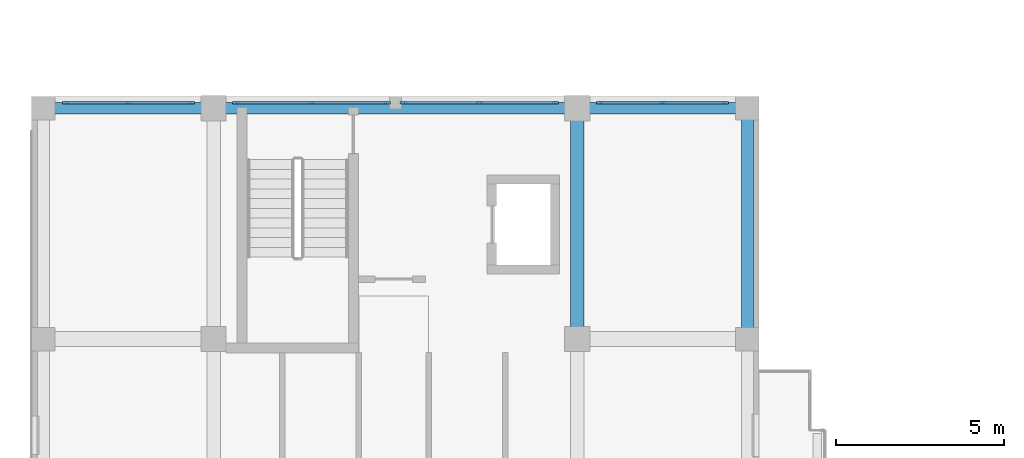
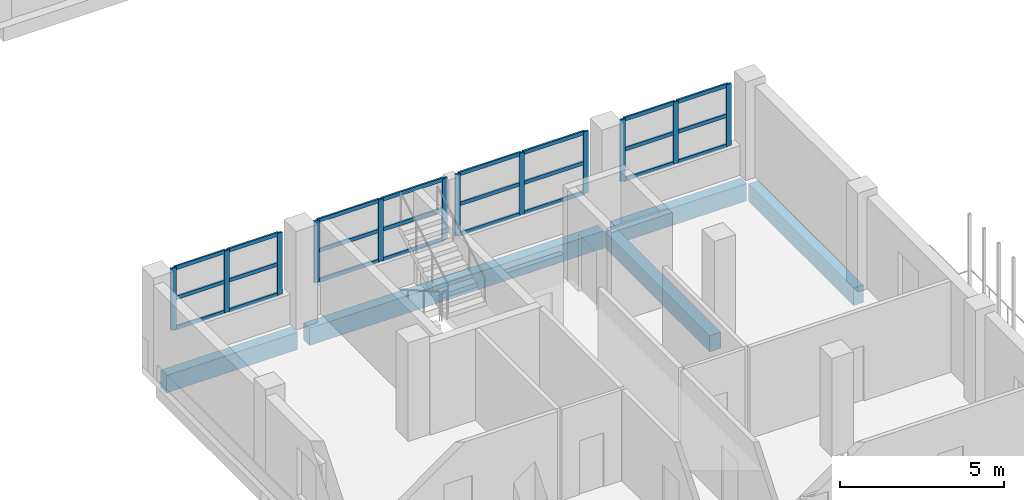
# One storey, part 11 of 73: 36 members, 5 beams, 4 elements without a shape of their own.
"""IFC4 building model written with IfcOpenShell, lengths in metres."""

from ifc_helpers import new_model, si_unit, derived_unit, direction, frame, origin, origin_2d, place, context, subcontext, project, spatial, rectangle, extrude, material, layer, layer_set, material_profile, profile_set, type_object, element, aggregate, save


model = new_model("IFC4")

# Units and contexts
model_context = context("Model", 3, precision=1e-05, world=origin(), true_north=direction((0.0, 1.0)))
body_context = subcontext(model_context, "Body", "Model", "MODEL_VIEW")
ifc_project = project(units=[si_unit("LENGTHUNIT", "METRE"), si_unit("AREAUNIT", "SQUARE_METRE"), si_unit("VOLUMEUNIT", "CUBIC_METRE"), si_unit("PLANEANGLEUNIT", "RADIAN"), si_unit("MASSUNIT", "GRAM", prefix="KILO"), derived_unit("THERMALTRANSMITTANCEUNIT", [(si_unit("MASSUNIT", "GRAM", prefix="KILO"), 1), (si_unit("TIMEUNIT", "SECOND"), -3), (si_unit("THERMODYNAMICTEMPERATUREUNIT", "KELVIN"), -1)])], contexts=[model_context])

# Site, building, storey
site_placement = place(None, origin())
site = spatial("IfcSite", under=ifc_project, at=site_placement, CompositionType="ELEMENT")
building_placement = place(site_placement, origin())
building = spatial("IfcBuilding", under=site, at=building_placement, Name="Ochrekiln Boulevard Commons", CompositionType="ELEMENT")
storey_placement = place(building_placement, frame((0.0, 0.0, 4.89990234375)))
storey = spatial("IfcBuildingStorey", under=building, at=storey_placement, Name="L01", CompositionType="ELEMENT", Elevation=4.89990234375)

# Beam
ifc_material_1 = material(Name="Concrete C35/45", Category="concrete")
ifc_material_profile_1 = material_profile(ifc_material_1, rectangle(XDim=0.39990234375, YDim=0.60009765625, at=origin_2d()), Name="RC-BM-400x600")
ifc_profile_set_1 = profile_set([ifc_material_profile_1], Name="Concrete C35/45")
beam_type_1 = type_object("IfcBeamType", Name="BM-RC-400x600", PredefinedType="BEAM", material=ifc_profile_set_1)
beam_1_placement = place(storey_placement, frame((16.199951171875, 43.409912109375, -0.559814453125), z_axis=(0.0, 1.0, 0.0), x_axis=(-1.0, 0.0, 0.0)))
element("IfcBeam", 1, at=beam_1_placement, inside=storey, type_object=beam_type_1, Name="Block D L01 Beam B-4060 Y43", PredefinedType="BEAM", context=body_context, shape_type="SweptSolid", body=[
    extrude(rectangle(XDim=0.39990234375, YDim=0.60009765625, at=origin_2d()), origin(), (0.0, 0.0, 1.0), 6.43017578125),
])

# Curtain wall, members
ifc_material_2 = material(Name="Bronze-anodized extruded aluminium 6063-T6", Category="aluminium")
ifc_layer = layer(ifc_material_2, 0.172119140625)
ifc_layer_set = layer_set([ifc_layer], Name="Bronze-anodized extruded aluminium 6063-T6")
curtain_wall_type = type_object("IfcCurtainWallType", Name="CW-GABLE-A", PredefinedType="USERDEFINED", material=ifc_layer_set)
curtain_wall_1_placement = place(storey_placement, origin())
curtain_wall_1 = element("IfcCurtainWall", 2, at=curtain_wall_1_placement, inside=storey, type_object=curtain_wall_type, Name="Block D L01 Courtyard Glazed Gable Curtain Wall 1", ObjectType="GLAZED CURTAIN WALL", PredefinedType="USERDEFINED")
ifc_material_profile_2 = material_profile(ifc_material_2, rectangle(XDim=0.06494140625, YDim=0.179931640625, at=origin_2d()), Name="ALU-MUL-65x180")
ifc_profile_set_2 = profile_set([ifc_material_profile_2], Name="Bronze-anodized extruded aluminium 6063-T6")
member_type_1 = type_object("IfcMemberType", Name="CWM-65x180", PredefinedType="MULLION", material=ifc_profile_set_2)
member_1_placement = place(storey_placement, frame((1.00244140625, 50.217529296875, 1.110107421875), z_axis=(0.0, 0.0, 1.0), x_axis=(0.0, 1.0, 0.0)))
member_1 = element("IfcMember", 3, at=member_1_placement, type_object=member_type_1, Name="CW-01 mullion 1", PredefinedType="MULLION", context=body_context, shape_type="SweptSolid", body=[
    extrude(rectangle(XDim=0.06494140625, YDim=0.179931640625, at=origin_2d()), origin(), (0.0, 0.0, 1.0), 2.304931640625),
])
member_2_placement = place(storey_placement, frame((2.875, 50.217529296875, 1.110107421875), z_axis=(0.0, 0.0, 1.0), x_axis=(0.0, 1.0, 0.0)))
member_2 = element("IfcMember", 4, at=member_2_placement, type_object=member_type_1, Name="CW-01 mullion 2", PredefinedType="MULLION", context=body_context, shape_type="SweptSolid", body=[
    extrude(rectangle(XDim=0.06494140625, YDim=0.179931640625, at=origin_2d()), origin(), (0.0, 0.0, 1.0), 2.304931640625),
])
member_3_placement = place(storey_placement, frame((4.74755859375, 50.217529296875, 1.110107421875), z_axis=(0.0, 0.0, 1.0), x_axis=(0.0, 1.0, 0.0)))
member_3 = element("IfcMember", 5, at=member_3_placement, type_object=member_type_1, Name="CW-01 mullion 3", PredefinedType="MULLION", context=body_context, shape_type="SweptSolid", body=[
    extrude(rectangle(XDim=0.06494140625, YDim=0.179931640625, at=origin_2d()), origin(), (0.0, 0.0, 1.0), 2.304931640625),
])

curtain_wall_2_placement = place(storey_placement, origin())
curtain_wall_2 = element("IfcCurtainWall", 6, at=curtain_wall_2_placement, inside=storey, type_object=curtain_wall_type, Name="Block D L01 Courtyard Glazed Gable Curtain Wall 2", ObjectType="GLAZED CURTAIN WALL", PredefinedType="USERDEFINED")
member_4_placement = place(storey_placement, frame((6.052490234375, 50.217529296875, 1.110107421875), z_axis=(0.0, 0.0, 1.0), x_axis=(0.0, 1.0, 0.0)))
member_4 = element("IfcMember", 7, at=member_4_placement, type_object=member_type_1, Name="CW-01 mullion 1", PredefinedType="MULLION", context=body_context, shape_type="SweptSolid", body=[
    extrude(rectangle(XDim=0.06494140625, YDim=0.179931640625, at=origin_2d()), origin(), (0.0, 0.0, 1.0), 2.304931640625),
])
member_5_placement = place(storey_placement, frame((8.31005859375, 50.217529296875, 1.110107421875), z_axis=(0.0, 0.0, 1.0), x_axis=(0.0, 1.0, 0.0)))
member_5 = element("IfcMember", 8, at=member_5_placement, type_object=member_type_1, Name="CW-01 mullion 2", PredefinedType="MULLION", context=body_context, shape_type="SweptSolid", body=[
    extrude(rectangle(XDim=0.06494140625, YDim=0.179931640625, at=origin_2d()), origin(), (0.0, 0.0, 1.0), 2.304931640625),
])
member_6_placement = place(storey_placement, frame((10.5673828125, 50.217529296875, 1.110107421875), z_axis=(0.0, 0.0, 1.0), x_axis=(0.0, 1.0, 0.0)))
member_6 = element("IfcMember", 9, at=member_6_placement, type_object=member_type_1, Name="CW-01 mullion 3", PredefinedType="MULLION", context=body_context, shape_type="SweptSolid", body=[
    extrude(rectangle(XDim=0.06494140625, YDim=0.179931640625, at=origin_2d()), origin(), (0.0, 0.0, 1.0), 2.304931640625),
])

curtain_wall_3_placement = place(storey_placement, origin())
curtain_wall_3 = element("IfcCurtainWall", 10, at=curtain_wall_3_placement, inside=storey, type_object=curtain_wall_type, Name="Block D L01 Courtyard Glazed Gable Curtain Wall 3", ObjectType="GLAZED CURTAIN WALL", PredefinedType="USERDEFINED")
member_7_placement = place(storey_placement, frame((11.032470703125, 50.217529296875, 1.110107421875), z_axis=(0.0, 0.0, 1.0), x_axis=(0.0, 1.0, 0.0)))
member_7 = element("IfcMember", 11, at=member_7_placement, type_object=member_type_1, Name="CW-01 mullion 1", PredefinedType="MULLION", context=body_context, shape_type="SweptSolid", body=[
    extrude(rectangle(XDim=0.06494140625, YDim=0.179931640625, at=origin_2d()), origin(), (0.0, 0.0, 1.0), 2.304931640625),
])
member_8_placement = place(storey_placement, frame((13.2900390625, 50.217529296875, 1.110107421875), z_axis=(0.0, 0.0, 1.0), x_axis=(0.0, 1.0, 0.0)))
member_8 = element("IfcMember", 12, at=member_8_placement, type_object=member_type_1, Name="CW-01 mullion 2", PredefinedType="MULLION", context=body_context, shape_type="SweptSolid", body=[
    extrude(rectangle(XDim=0.06494140625, YDim=0.179931640625, at=origin_2d()), origin(), (0.0, 0.0, 1.0), 2.304931640625),
])
member_9_placement = place(storey_placement, frame((15.547607421875, 50.217529296875, 1.110107421875), z_axis=(0.0, 0.0, 1.0), x_axis=(0.0, 1.0, 0.0)))
member_9 = element("IfcMember", 13, at=member_9_placement, type_object=member_type_1, Name="CW-01 mullion 3", PredefinedType="MULLION", context=body_context, shape_type="SweptSolid", body=[
    extrude(rectangle(XDim=0.06494140625, YDim=0.179931640625, at=origin_2d()), origin(), (0.0, 0.0, 1.0), 2.304931640625),
])

curtain_wall_4_placement = place(storey_placement, origin())
curtain_wall_4 = element("IfcCurtainWall", 14, at=curtain_wall_4_placement, inside=storey, type_object=curtain_wall_type, Name="Block D L01 Courtyard Glazed Gable Curtain Wall 4", ObjectType="GLAZED CURTAIN WALL", PredefinedType="USERDEFINED")
member_10_placement = place(storey_placement, frame((16.8525390625, 50.217529296875, 1.110107421875), z_axis=(0.0, 0.0, 1.0), x_axis=(0.0, 1.0, 0.0)))
member_10 = element("IfcMember", 15, at=member_10_placement, type_object=member_type_1, Name="CW-01 mullion 1", PredefinedType="MULLION", context=body_context, shape_type="SweptSolid", body=[
    extrude(rectangle(XDim=0.06494140625, YDim=0.179931640625, at=origin_2d()), origin(), (0.0, 0.0, 1.0), 2.304931640625),
])
member_11_placement = place(storey_placement, frame((18.72509765625, 50.217529296875, 1.110107421875), z_axis=(0.0, 0.0, 1.0), x_axis=(0.0, 1.0, 0.0)))
member_11 = element("IfcMember", 16, at=member_11_placement, type_object=member_type_1, Name="CW-01 mullion 2", PredefinedType="MULLION", context=body_context, shape_type="SweptSolid", body=[
    extrude(rectangle(XDim=0.06494140625, YDim=0.179931640625, at=origin_2d()), origin(), (0.0, 0.0, 1.0), 2.304931640625),
])
member_12_placement = place(storey_placement, frame((20.597412109375, 50.217529296875, 1.110107421875), z_axis=(0.0, 0.0, 1.0), x_axis=(0.0, 1.0, 0.0)))
member_12 = element("IfcMember", 17, at=member_12_placement, type_object=member_type_1, Name="CW-01 mullion 3", PredefinedType="MULLION", context=body_context, shape_type="SweptSolid", body=[
    extrude(rectangle(XDim=0.06494140625, YDim=0.179931640625, at=origin_2d()), origin(), (0.0, 0.0, 1.0), 2.304931640625),
])

# Member
ifc_material_profile_3 = material_profile(ifc_material_2, rectangle(XDim=0.06494140625, YDim=0.139892578125, at=origin_2d()), Name="ALU-TRN-65x140")
ifc_profile_set_3 = profile_set([ifc_material_profile_3], Name="Bronze-anodized extruded aluminium 6063-T6")
member_type_2 = type_object("IfcMemberType", Name="CWT-65x140", PredefinedType="USERDEFINED", material=ifc_profile_set_3)
member_13_placement = place(storey_placement, frame((1.034912109375, 50.217529296875, 1.142578125), z_axis=(1.0, 0.0, 0.0), x_axis=(0.0, 1.0, 0.0)))
member_13 = element("IfcMember", 18, at=member_13_placement, type_object=member_type_2, Name="CW-01 transom 1.1", ObjectType="TRANSOM", PredefinedType="USERDEFINED", context=body_context, shape_type="SweptSolid", body=[
    extrude(rectangle(XDim=0.06494140625, YDim=0.139892578125, at=origin_2d()), origin(), (0.0, 0.0, 1.0), 1.8076171875),
])

member_14_placement = place(storey_placement, frame((1.034912109375, 50.217529296875, 2.26220703125), z_axis=(1.0, 0.0, 0.0), x_axis=(0.0, 1.0, 0.0)))
member_14 = element("IfcMember", 19, at=member_14_placement, type_object=member_type_2, Name="CW-01 transom 1.2", ObjectType="TRANSOM", PredefinedType="USERDEFINED", context=body_context, shape_type="SweptSolid", body=[
    extrude(rectangle(XDim=0.06494140625, YDim=0.139892578125, at=origin_2d()), origin(), (0.0, 0.0, 1.0), 1.8076171875),
])

member_15_placement = place(storey_placement, frame((1.034912109375, 50.217529296875, 3.382568359375), z_axis=(1.0, 0.0, 0.0), x_axis=(0.0, 1.0, 0.0)))
member_15 = element("IfcMember", 20, at=member_15_placement, type_object=member_type_2, Name="CW-01 transom 1.3", ObjectType="TRANSOM", PredefinedType="USERDEFINED", context=body_context, shape_type="SweptSolid", body=[
    extrude(rectangle(XDim=0.06494140625, YDim=0.139892578125, at=origin_2d()), origin(), (0.0, 0.0, 1.0), 1.8076171875),
])

member_16_placement = place(storey_placement, frame((2.907470703125, 50.217529296875, 1.142578125), z_axis=(1.0, 0.0, 0.0), x_axis=(0.0, 1.0, 0.0)))
member_16 = element("IfcMember", 21, at=member_16_placement, type_object=member_type_2, Name="CW-01 transom 2.1", ObjectType="TRANSOM", PredefinedType="USERDEFINED", context=body_context, shape_type="SweptSolid", body=[
    extrude(rectangle(XDim=0.06494140625, YDim=0.139892578125, at=origin_2d()), origin(), (0.0, 0.0, 1.0), 1.8076171875),
])

member_17_placement = place(storey_placement, frame((2.907470703125, 50.217529296875, 2.26220703125), z_axis=(1.0, 0.0, 0.0), x_axis=(0.0, 1.0, 0.0)))
member_17 = element("IfcMember", 22, at=member_17_placement, type_object=member_type_2, Name="CW-01 transom 2.2", ObjectType="TRANSOM", PredefinedType="USERDEFINED", context=body_context, shape_type="SweptSolid", body=[
    extrude(rectangle(XDim=0.06494140625, YDim=0.139892578125, at=origin_2d()), origin(), (0.0, 0.0, 1.0), 1.8076171875),
])

member_18_placement = place(storey_placement, frame((2.907470703125, 50.217529296875, 3.382568359375), z_axis=(1.0, 0.0, 0.0), x_axis=(0.0, 1.0, 0.0)))
member_18 = element("IfcMember", 23, at=member_18_placement, type_object=member_type_2, Name="CW-01 transom 2.3", ObjectType="TRANSOM", PredefinedType="USERDEFINED", context=body_context, shape_type="SweptSolid", body=[
    extrude(rectangle(XDim=0.06494140625, YDim=0.139892578125, at=origin_2d()), origin(), (0.0, 0.0, 1.0), 1.8076171875),
])

aggregate(curtain_wall_1, [member_1, member_2, member_3, member_13, member_14, member_15, member_16, member_17, member_18])

member_19_placement = place(storey_placement, frame((6.0849609375, 50.217529296875, 1.142578125), z_axis=(1.0, 0.0, 0.0), x_axis=(0.0, 1.0, 0.0)))
member_19 = element("IfcMember", 24, at=member_19_placement, type_object=member_type_2, Name="CW-01 transom 1.1", ObjectType="TRANSOM", PredefinedType="USERDEFINED", context=body_context, shape_type="SweptSolid", body=[
    extrude(rectangle(XDim=0.06494140625, YDim=0.139892578125, at=origin_2d()), origin(), (0.0, 0.0, 1.0), 2.192626953125),
])

member_20_placement = place(storey_placement, frame((6.0849609375, 50.217529296875, 2.26220703125), z_axis=(1.0, 0.0, 0.0), x_axis=(0.0, 1.0, 0.0)))
member_20 = element("IfcMember", 25, at=member_20_placement, type_object=member_type_2, Name="CW-01 transom 1.2", ObjectType="TRANSOM", PredefinedType="USERDEFINED", context=body_context, shape_type="SweptSolid", body=[
    extrude(rectangle(XDim=0.06494140625, YDim=0.139892578125, at=origin_2d()), origin(), (0.0, 0.0, 1.0), 2.192626953125),
])

member_21_placement = place(storey_placement, frame((6.0849609375, 50.217529296875, 3.382568359375), z_axis=(1.0, 0.0, 0.0), x_axis=(0.0, 1.0, 0.0)))
member_21 = element("IfcMember", 26, at=member_21_placement, type_object=member_type_2, Name="CW-01 transom 1.3", ObjectType="TRANSOM", PredefinedType="USERDEFINED", context=body_context, shape_type="SweptSolid", body=[
    extrude(rectangle(XDim=0.06494140625, YDim=0.139892578125, at=origin_2d()), origin(), (0.0, 0.0, 1.0), 2.192626953125),
])

member_22_placement = place(storey_placement, frame((8.342529296875, 50.217529296875, 1.142578125), z_axis=(1.0, 0.0, 0.0), x_axis=(0.0, 1.0, 0.0)))
member_22 = element("IfcMember", 27, at=member_22_placement, type_object=member_type_2, Name="CW-01 transom 2.1", ObjectType="TRANSOM", PredefinedType="USERDEFINED", context=body_context, shape_type="SweptSolid", body=[
    extrude(rectangle(XDim=0.06494140625, YDim=0.139892578125, at=origin_2d()), origin(), (0.0, 0.0, 1.0), 2.1923828125),
])

member_23_placement = place(storey_placement, frame((8.342529296875, 50.217529296875, 2.26220703125), z_axis=(1.0, 0.0, 0.0), x_axis=(0.0, 1.0, 0.0)))
member_23 = element("IfcMember", 28, at=member_23_placement, type_object=member_type_2, Name="CW-01 transom 2.2", ObjectType="TRANSOM", PredefinedType="USERDEFINED", context=body_context, shape_type="SweptSolid", body=[
    extrude(rectangle(XDim=0.06494140625, YDim=0.139892578125, at=origin_2d()), origin(), (0.0, 0.0, 1.0), 2.1923828125),
])

member_24_placement = place(storey_placement, frame((8.342529296875, 50.217529296875, 3.382568359375), z_axis=(1.0, 0.0, 0.0), x_axis=(0.0, 1.0, 0.0)))
member_24 = element("IfcMember", 29, at=member_24_placement, type_object=member_type_2, Name="CW-01 transom 2.3", ObjectType="TRANSOM", PredefinedType="USERDEFINED", context=body_context, shape_type="SweptSolid", body=[
    extrude(rectangle(XDim=0.06494140625, YDim=0.139892578125, at=origin_2d()), origin(), (0.0, 0.0, 1.0), 2.1923828125),
])

aggregate(curtain_wall_2, [member_4, member_5, member_6, member_19, member_20, member_21, member_22, member_23, member_24])

member_25_placement = place(storey_placement, frame((11.06494140625, 50.217529296875, 1.142578125), z_axis=(1.0, 0.0, 0.0), x_axis=(0.0, 1.0, 0.0)))
member_25 = element("IfcMember", 30, at=member_25_placement, type_object=member_type_2, Name="CW-01 transom 1.1", ObjectType="TRANSOM", PredefinedType="USERDEFINED", context=body_context, shape_type="SweptSolid", body=[
    extrude(rectangle(XDim=0.06494140625, YDim=0.139892578125, at=origin_2d()), origin(), (0.0, 0.0, 1.0), 2.192626953125),
])

member_26_placement = place(storey_placement, frame((11.06494140625, 50.217529296875, 2.26220703125), z_axis=(1.0, 0.0, 0.0), x_axis=(0.0, 1.0, 0.0)))
member_26 = element("IfcMember", 31, at=member_26_placement, type_object=member_type_2, Name="CW-01 transom 1.2", ObjectType="TRANSOM", PredefinedType="USERDEFINED", context=body_context, shape_type="SweptSolid", body=[
    extrude(rectangle(XDim=0.06494140625, YDim=0.139892578125, at=origin_2d()), origin(), (0.0, 0.0, 1.0), 2.192626953125),
])

member_27_placement = place(storey_placement, frame((11.06494140625, 50.217529296875, 3.382568359375), z_axis=(1.0, 0.0, 0.0), x_axis=(0.0, 1.0, 0.0)))
member_27 = element("IfcMember", 32, at=member_27_placement, type_object=member_type_2, Name="CW-01 transom 1.3", ObjectType="TRANSOM", PredefinedType="USERDEFINED", context=body_context, shape_type="SweptSolid", body=[
    extrude(rectangle(XDim=0.06494140625, YDim=0.139892578125, at=origin_2d()), origin(), (0.0, 0.0, 1.0), 2.192626953125),
])

member_28_placement = place(storey_placement, frame((13.322509765625, 50.217529296875, 1.142578125), z_axis=(1.0, 0.0, 0.0), x_axis=(0.0, 1.0, 0.0)))
member_28 = element("IfcMember", 33, at=member_28_placement, type_object=member_type_2, Name="CW-01 transom 2.1", ObjectType="TRANSOM", PredefinedType="USERDEFINED", context=body_context, shape_type="SweptSolid", body=[
    extrude(rectangle(XDim=0.06494140625, YDim=0.139892578125, at=origin_2d()), origin(), (0.0, 0.0, 1.0), 2.1923828125),
])

member_29_placement = place(storey_placement, frame((13.322509765625, 50.217529296875, 2.26220703125), z_axis=(1.0, 0.0, 0.0), x_axis=(0.0, 1.0, 0.0)))
member_29 = element("IfcMember", 34, at=member_29_placement, type_object=member_type_2, Name="CW-01 transom 2.2", ObjectType="TRANSOM", PredefinedType="USERDEFINED", context=body_context, shape_type="SweptSolid", body=[
    extrude(rectangle(XDim=0.06494140625, YDim=0.139892578125, at=origin_2d()), origin(), (0.0, 0.0, 1.0), 2.1923828125),
])

member_30_placement = place(storey_placement, frame((13.322509765625, 50.217529296875, 3.382568359375), z_axis=(1.0, 0.0, 0.0), x_axis=(0.0, 1.0, 0.0)))
member_30 = element("IfcMember", 35, at=member_30_placement, type_object=member_type_2, Name="CW-01 transom 2.3", ObjectType="TRANSOM", PredefinedType="USERDEFINED", context=body_context, shape_type="SweptSolid", body=[
    extrude(rectangle(XDim=0.06494140625, YDim=0.139892578125, at=origin_2d()), origin(), (0.0, 0.0, 1.0), 2.1923828125),
])

aggregate(curtain_wall_3, [member_7, member_8, member_9, member_25, member_26, member_27, member_28, member_29, member_30])

member_31_placement = place(storey_placement, frame((16.885009765625, 50.217529296875, 1.142578125), z_axis=(1.0, 0.0, 0.0), x_axis=(0.0, 1.0, 0.0)))
member_31 = element("IfcMember", 36, at=member_31_placement, type_object=member_type_2, Name="CW-01 transom 1.1", ObjectType="TRANSOM", PredefinedType="USERDEFINED", context=body_context, shape_type="SweptSolid", body=[
    extrude(rectangle(XDim=0.06494140625, YDim=0.139892578125, at=origin_2d()), origin(), (0.0, 0.0, 1.0), 1.807373046875),
])

member_32_placement = place(storey_placement, frame((16.885009765625, 50.217529296875, 2.26220703125), z_axis=(1.0, 0.0, 0.0), x_axis=(0.0, 1.0, 0.0)))
member_32 = element("IfcMember", 37, at=member_32_placement, type_object=member_type_2, Name="CW-01 transom 1.2", ObjectType="TRANSOM", PredefinedType="USERDEFINED", context=body_context, shape_type="SweptSolid", body=[
    extrude(rectangle(XDim=0.06494140625, YDim=0.139892578125, at=origin_2d()), origin(), (0.0, 0.0, 1.0), 1.807373046875),
])

member_33_placement = place(storey_placement, frame((16.885009765625, 50.217529296875, 3.382568359375), z_axis=(1.0, 0.0, 0.0), x_axis=(0.0, 1.0, 0.0)))
member_33 = element("IfcMember", 38, at=member_33_placement, type_object=member_type_2, Name="CW-01 transom 1.3", ObjectType="TRANSOM", PredefinedType="USERDEFINED", context=body_context, shape_type="SweptSolid", body=[
    extrude(rectangle(XDim=0.06494140625, YDim=0.139892578125, at=origin_2d()), origin(), (0.0, 0.0, 1.0), 1.807373046875),
])

member_34_placement = place(storey_placement, frame((18.757568359375, 50.217529296875, 1.142578125), z_axis=(1.0, 0.0, 0.0), x_axis=(0.0, 1.0, 0.0)))
member_34 = element("IfcMember", 39, at=member_34_placement, type_object=member_type_2, Name="CW-01 transom 2.1", ObjectType="TRANSOM", PredefinedType="USERDEFINED", context=body_context, shape_type="SweptSolid", body=[
    extrude(rectangle(XDim=0.06494140625, YDim=0.139892578125, at=origin_2d()), origin(), (0.0, 0.0, 1.0), 1.807373046875),
])

member_35_placement = place(storey_placement, frame((18.757568359375, 50.217529296875, 2.26220703125), z_axis=(1.0, 0.0, 0.0), x_axis=(0.0, 1.0, 0.0)))
member_35 = element("IfcMember", 40, at=member_35_placement, type_object=member_type_2, Name="CW-01 transom 2.2", ObjectType="TRANSOM", PredefinedType="USERDEFINED", context=body_context, shape_type="SweptSolid", body=[
    extrude(rectangle(XDim=0.06494140625, YDim=0.139892578125, at=origin_2d()), origin(), (0.0, 0.0, 1.0), 1.807373046875),
])

member_36_placement = place(storey_placement, frame((18.757568359375, 50.217529296875, 3.382568359375), z_axis=(1.0, 0.0, 0.0), x_axis=(0.0, 1.0, 0.0)))
member_36 = element("IfcMember", 41, at=member_36_placement, type_object=member_type_2, Name="CW-01 transom 2.3", ObjectType="TRANSOM", PredefinedType="USERDEFINED", context=body_context, shape_type="SweptSolid", body=[
    extrude(rectangle(XDim=0.06494140625, YDim=0.139892578125, at=origin_2d()), origin(), (0.0, 0.0, 1.0), 1.807373046875),
])

aggregate(curtain_wall_4, [member_10, member_11, member_12, member_31, member_32, member_33, member_34, member_35, member_36])

# Beams
ifc_material_3 = material(Name="Concrete C40/50", Category="concrete")
ifc_material_profile_4 = material_profile(ifc_material_3, rectangle(XDim=0.35009765625, YDim=0.64990234375, at=origin_2d()), Name="RC-SPN-350x650")
ifc_profile_set_4 = profile_set([ifc_material_profile_4], Name="Concrete C40/50")
beam_type_2 = type_object("IfcBeamType", Name="SPN-RC-350x650", PredefinedType="SPANDREL", material=ifc_profile_set_4)
beam_2_placement = place(storey_placement, frame((0.56005859375, 50.050048828125, -0.5849609375), z_axis=(1.0, 0.0, 0.0), x_axis=(0.0, 1.0, 0.0)))
element("IfcBeam", 42, at=beam_2_placement, inside=storey, type_object=beam_type_2, Name="Block D L01 Beam SP-3565 X20", PredefinedType="SPANDREL", context=body_context, shape_type="SweptSolid", body=[
    extrude(rectangle(XDim=0.35009765625, YDim=0.64990234375, at=origin_2d()), origin(), (0.0, 0.0, 1.0), 4.6298828125),
])
beam_3_placement = place(storey_placement, frame((5.610107421875, 50.050048828125, -0.5849609375), z_axis=(1.0, 0.0, 0.0), x_axis=(0.0, 1.0, 0.0)))
element("IfcBeam", 43, at=beam_3_placement, inside=storey, type_object=beam_type_2, Name="Block D L01 Beam SP-3565 X21", PredefinedType="SPANDREL", context=body_context, shape_type="SweptSolid", body=[
    extrude(rectangle(XDim=0.35009765625, YDim=0.64990234375, at=origin_2d()), origin(), (0.0, 0.0, 1.0), 10.3798828125),
])
beam_4_placement = place(storey_placement, frame((16.409912109375, 50.050048828125, -0.5849609375), z_axis=(1.0, 0.0, 0.0), x_axis=(0.0, 1.0, 0.0)))
element("IfcBeam", 44, at=beam_4_placement, inside=storey, type_object=beam_type_2, Name="Block D L01 Beam SP-3565 X22", PredefinedType="SPANDREL", context=body_context, shape_type="SweptSolid", body=[
    extrude(rectangle(XDim=0.35009765625, YDim=0.64990234375, at=origin_2d()), origin(), (0.0, 0.0, 1.0), 4.630126953125),
])
beam_5_placement = place(storey_placement, frame((21.25, 43.409912109375, -0.5849609375), z_axis=(0.0, 1.0, 0.0), x_axis=(-1.0, 0.0, 0.0)))
element("IfcBeam", 45, at=beam_5_placement, inside=storey, type_object=beam_type_2, Name="Block D L01 Beam SP-3565 Y50", PredefinedType="SPANDREL", context=body_context, shape_type="SweptSolid", body=[
    extrude(rectangle(XDim=0.35009765625, YDim=0.64990234375, at=origin_2d()), origin(), (0.0, 0.0, 1.0), 6.43017578125),
])

save(model, "model.ifc")
